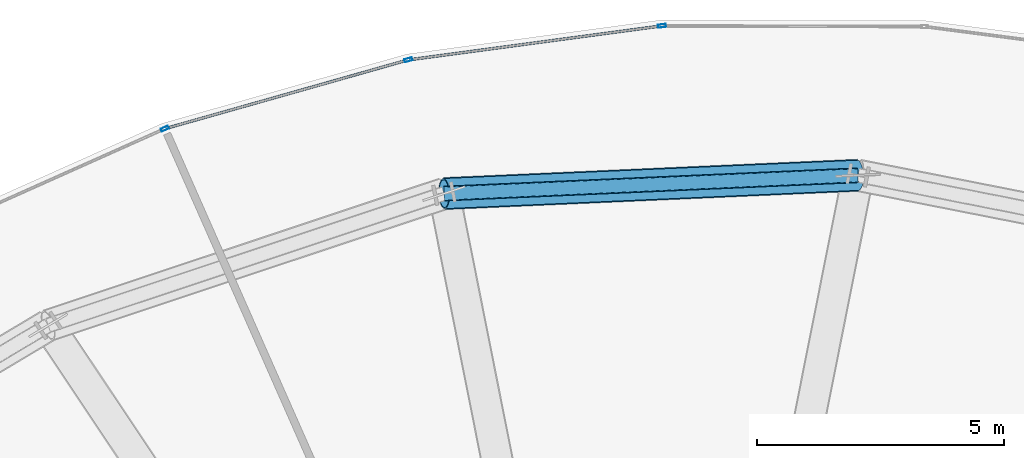
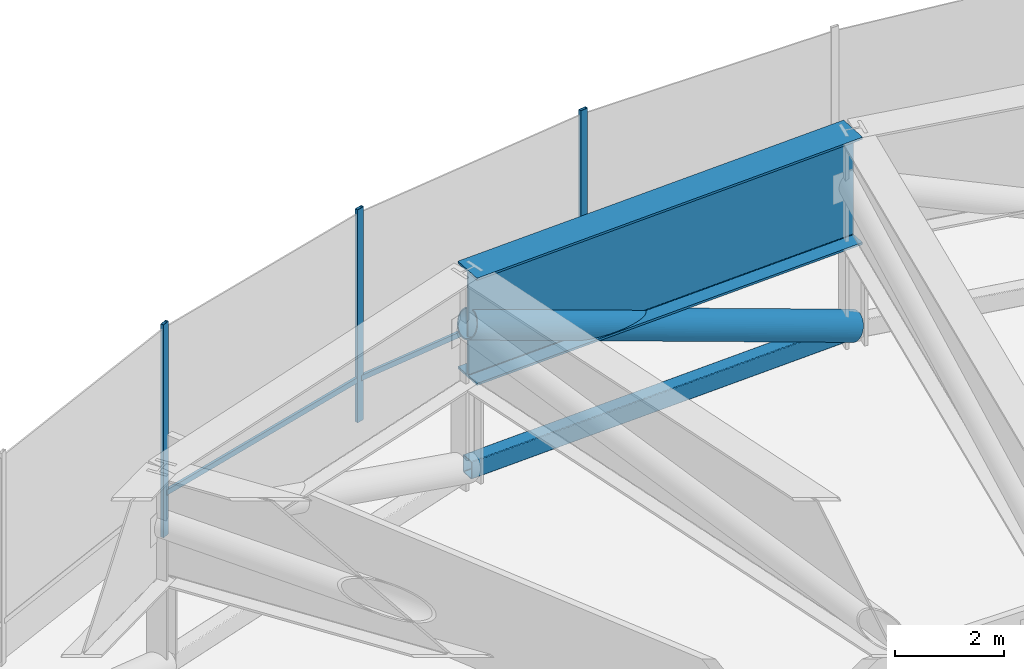
# One storey, part 20 of 33: 7 members, 1 beam, 1 element without a shape of its own.
"""IFC4 building model written with IfcOpenShell, lengths in metres."""

from ifc_helpers import new_model, si_unit, direction, frame, origin, origin_2d, place, context, subcontext, project, spatial, hollow_rectangle, hollow_circle, i_section, extrude, source, transform, mapped, material, layer, layer_set, material_profile, profile_set, type_object, element, aggregate, save


model = new_model("IFC4")

# Units and contexts
model_context = context("Model", 3, precision=1e-05, world=origin(), true_north=direction((0.0, 1.0)))
body_context = subcontext(model_context, "Body", "Model", "MODEL_VIEW")
ifc_project = project(units=[si_unit("LENGTHUNIT", "METRE"), si_unit("AREAUNIT", "SQUARE_METRE"), si_unit("VOLUMEUNIT", "CUBIC_METRE"), si_unit("PLANEANGLEUNIT", "RADIAN"), si_unit("MASSUNIT", "GRAM", prefix="KILO"), si_unit("THERMODYNAMICTEMPERATUREUNIT", "KELVIN")], contexts=[model_context])

# Site, building, storey
site_placement = place(None, origin())
site = spatial("IfcSite", under=ifc_project, at=site_placement, CompositionType="ELEMENT")
building_placement = place(site_placement, origin())
building = spatial("IfcBuilding", under=site, at=building_placement, Name="Kethvar Cultural Tower", CompositionType="ELEMENT")
storey_placement = place(building_placement, frame((0.0, 0.0, 80.39990234375)))
storey = spatial("IfcBuildingStorey", under=building, at=storey_placement, Name="L19", CompositionType="ELEMENT", Elevation=80.39990234375)

# Beam
ifc_material_1 = material(Name="Steel S460M", Category="steel")
ifc_material_profile_1 = material_profile(ifc_material_1, i_section(OverallWidth=0.64990234375, OverallDepth=2.39990234375, WebThickness=0.030029296875, FlangeThickness=0.048095703125, FilletRadius=0.02197265625, at=origin_2d()), Name="Steel S460M — PG2400x650x48x30")
ifc_profile_set_1 = profile_set([ifc_material_profile_1], Name="Steel S460M — PG2400x650x48x30")
beam_type = type_object("IfcBeamType", Name="BM-TR2400", PredefinedType="BEAM", material=ifc_profile_set_1)
shared_shape_1 = source(origin(), body_context, "Body", "SweptSolid", [
    extrude(i_section(OverallWidth=0.64990234375, OverallDepth=2.39990234375, WebThickness=0.030029296875, FlangeThickness=0.048095703125, FilletRadius=0.02197265625, at=origin_2d()), origin(), (0.0, 0.0, 1.0), 8.378662109375),
])
beam_placement = place(storey_placement, frame((51.022216796875, 49.02587890625, 3.55810546875), z_axis=(-0.999023890534, -0.04417313825, 0.0), x_axis=(0.04417313825, -0.999023890534, 0.0)))
element("IfcBeam", 1, at=beam_placement, inside=storey, type_object=beam_type, Name="L19 Ring Belt Girder BG-04", PredefinedType="BEAM", context=body_context, shape_type="MappedRepresentation", body=[
    mapped(shared_shape_1, transform((0.0, 0.0, 0.0), scale=1.0)),
])

# Members
ifc_material_profile_2 = material_profile(ifc_material_1, hollow_rectangle(XDim=0.300048828125, YDim=0.39990234375, WallThickness=0.01611328125, InnerFilletRadius=0.01611328125, OuterFilletRadius=0.031982421875, at=origin_2d()), Name="Steel S460M — RHS400x300x16")
ifc_profile_set_2 = profile_set([ifc_material_profile_2], Name="Steel S460M — RHS400x300x16")
member_type_1 = type_object("IfcMemberType", Name="MB-CHD-400", PredefinedType="CHORD", material=ifc_profile_set_2)
shared_shape_2 = source(origin(), body_context, "Body", "SweptSolid", [
    extrude(hollow_rectangle(XDim=0.300048828125, YDim=0.39990234375, WallThickness=0.01611328125, InnerFilletRadius=0.01611328125, OuterFilletRadius=0.031982421875, at=origin_2d()), origin(), (0.0, 0.0, 1.0), 8.378662109375),
])
member_1_placement = place(storey_placement, frame((51.022216796875, 49.02587890625, 0.35009765625), z_axis=(-0.999023890534, -0.04417313825, 0.0), x_axis=(0.04417313825, -0.999023890534, 0.0)))
element("IfcMember", 2, at=member_1_placement, inside=storey, type_object=member_type_1, Name="L19 Ring Belt Bottom Chord BC-04", PredefinedType="CHORD", context=body_context, shape_type="MappedRepresentation", body=[
    mapped(shared_shape_2, transform((0.0, 0.0, 0.0), scale=1.0)),
])
ifc_material_profile_3 = material_profile(ifc_material_1, hollow_circle(Radius=0.304931640625, WallThickness=0.02490234375, at=origin_2d()), Name="Steel S460M — CHS610x25")
ifc_profile_set_3 = profile_set([ifc_material_profile_3], Name="Steel S460M — CHS610x25")
member_type_2 = type_object("IfcMemberType", Name="MB-OUT-610", PredefinedType="BRACE", material=ifc_profile_set_3)
shared_shape_3 = source(origin(), body_context, "Body", "SweptSolid", [
    extrude(hollow_circle(Radius=0.304931640625, WallThickness=0.02490234375, at=origin_2d()), origin(), (0.0, 0.0, 1.0), 8.971923828125),
])
member_2_placement = place(storey_placement, frame((51.022216796875, 49.02587890625, 0.35009765625), z_axis=(-0.932978234077, -0.04125284381, 0.357560928536), x_axis=(0.04417313825, -0.999023890534, 0.0)))
element("IfcMember", 3, at=member_2_placement, inside=storey, type_object=member_type_2, Name="L19 Ring Belt Diagonal BD-04", PredefinedType="BRACE", context=body_context, shape_type="MappedRepresentation", body=[
    mapped(shared_shape_3, transform((0.0, 0.0, 0.0), scale=1.0)),
])

# Curtain wall, members
ifc_material_2 = material(Name="Aluminium 6063-T6", Category="aluminium")
ifc_layer = layer(ifc_material_2, 0.179931640625, Name="Aluminium 6063-T6", Category="aluminium")
ifc_layer_set = layer_set([ifc_layer], Name="Aluminium 6063-T6 (180 mm)")
curtain_wall_type = type_object("IfcCurtainWallType", Name="CW-SYS-02-Z1", PredefinedType="NOTDEFINED", material=ifc_layer_set)
curtain_wall_placement = place(storey_placement, origin())
curtain_wall = element("IfcCurtainWall", 4, at=curtain_wall_placement, inside=storey, type_object=curtain_wall_type, Name="L19 Curtain Wall Run 02", PredefinedType="NOTDEFINED")
ifc_material_profile_4 = material_profile(ifc_material_2, hollow_rectangle(XDim=0.06494140625, YDim=0.159912109375, WallThickness=0.0048828125, at=origin_2d()), Name="Aluminium 6063-T6 — RHS160x65x5")
ifc_profile_set_4 = profile_set([ifc_material_profile_4], Name="Aluminium 6063-T6 — RHS160x65x5")
member_type_3 = type_object("IfcMemberType", Name="CW-SYS-02-Z1-MUL", PredefinedType="MULLION", material=ifc_profile_set_4)
shared_shape_4 = source(origin(), body_context, "Body", "SweptSolid", [
    extrude(hollow_rectangle(XDim=0.06494140625, YDim=0.159912109375, WallThickness=0.0048828125, at=origin_2d()), origin(), (0.0, 0.0, 1.0), 4.760009765625),
])
member_3_placement = place(storey_placement, frame((47.056640625, 52.047119140625, 0.0), z_axis=(0.0, 0.0, 1.0), x_axis=(0.132965655301, -0.99112064579, 0.0)))
member_3 = element("IfcMember", 5, at=member_3_placement, type_object=member_type_3, Name="CW-L19-R02 Mullion 3", PredefinedType="MULLION", context=body_context, shape_type="MappedRepresentation", body=[
    mapped(shared_shape_4, transform((0.0, 0.0, 0.0), scale=1.0)),
])
member_4_placement = place(storey_placement, frame((41.9296875, 51.360595703125, 0.0), z_axis=(0.0, 0.0, 1.0), x_axis=(0.272330628284, -0.96220373565, 0.0)))
member_4 = element("IfcMember", 6, at=member_4_placement, type_object=member_type_3, Name="CW-L19-R02 Mullion 4", PredefinedType="MULLION", context=body_context, shape_type="MappedRepresentation", body=[
    mapped(shared_shape_4, transform((0.0, 0.0, 0.0), scale=1.0)),
])
member_5_placement = place(storey_placement, frame((37.00537109375, 49.96826171875, 0.0), z_axis=(0.0, 0.0, 1.0), x_axis=(0.408155201276, -0.91291255423, 0.0)))
member_5 = element("IfcMember", 7, at=member_5_placement, type_object=member_type_3, Name="CW-L19-R02 Mullion 5", PredefinedType="MULLION", context=body_context, shape_type="MappedRepresentation", body=[
    mapped(shared_shape_4, transform((0.0, 0.0, 0.0), scale=1.0)),
])
ifc_material_profile_5 = material_profile(ifc_material_2, hollow_rectangle(XDim=0.054931640625, YDim=0.1201171875, WallThickness=0.00390625, at=origin_2d()), Name="Aluminium 6063-T6 — RHS120x55x4")
ifc_profile_set_5 = profile_set([ifc_material_profile_5], Name="Aluminium 6063-T6 — RHS120x55x4")
member_type_4 = type_object("IfcMemberType", Name="CW-SYS-02-Z1-TRN", PredefinedType="USERDEFINED", material=ifc_profile_set_5)
shared_shape_5 = source(origin(), body_context, "Body", "SweptSolid", [
    extrude(hollow_rectangle(XDim=0.054931640625, YDim=0.1201171875, WallThickness=0.00390625, at=origin_2d()), origin(), (0.0, 0.0, 1.0), 5.09619140625),
])
member_6_placement = place(storey_placement, frame((47.01025390625, 52.041015625, 0.9501953125), z_axis=(-0.991117941797, -0.132985809195, 0.0), x_axis=(0.132985809195, -0.991117941797, 0.0)))
member_6 = element("IfcMember", 8, at=member_6_placement, type_object=member_type_4, Name="CW-L19-R02 Transom 3", ObjectType="TRANSOM", PredefinedType="USERDEFINED", context=body_context, shape_type="MappedRepresentation", body=[
    mapped(shared_shape_5, transform((0.0, 0.0, 0.0), scale=1.0)),
])
shared_shape_6 = source(origin(), body_context, "Body", "SweptSolid", [
    extrude(hollow_rectangle(XDim=0.054931640625, YDim=0.1201171875, WallThickness=0.00390625, at=origin_2d()), origin(), (0.0, 0.0, 1.0), 5.041015625),
])
member_7_placement = place(storey_placement, frame((41.884521484375, 51.347900390625, 0.9501953125), z_axis=(-0.96220628526, -0.272321619792, 0.0), x_axis=(0.272321619792, -0.96220628526, 0.0)))
member_7 = element("IfcMember", 9, at=member_7_placement, type_object=member_type_4, Name="CW-L19-R02 Transom 4", ObjectType="TRANSOM", PredefinedType="USERDEFINED", context=body_context, shape_type="MappedRepresentation", body=[
    mapped(shared_shape_6, transform((0.0, 0.0, 0.0), scale=1.0)),
])
aggregate(curtain_wall, [member_3, member_4, member_5, member_6, member_7])

save(model, "model.ifc")
